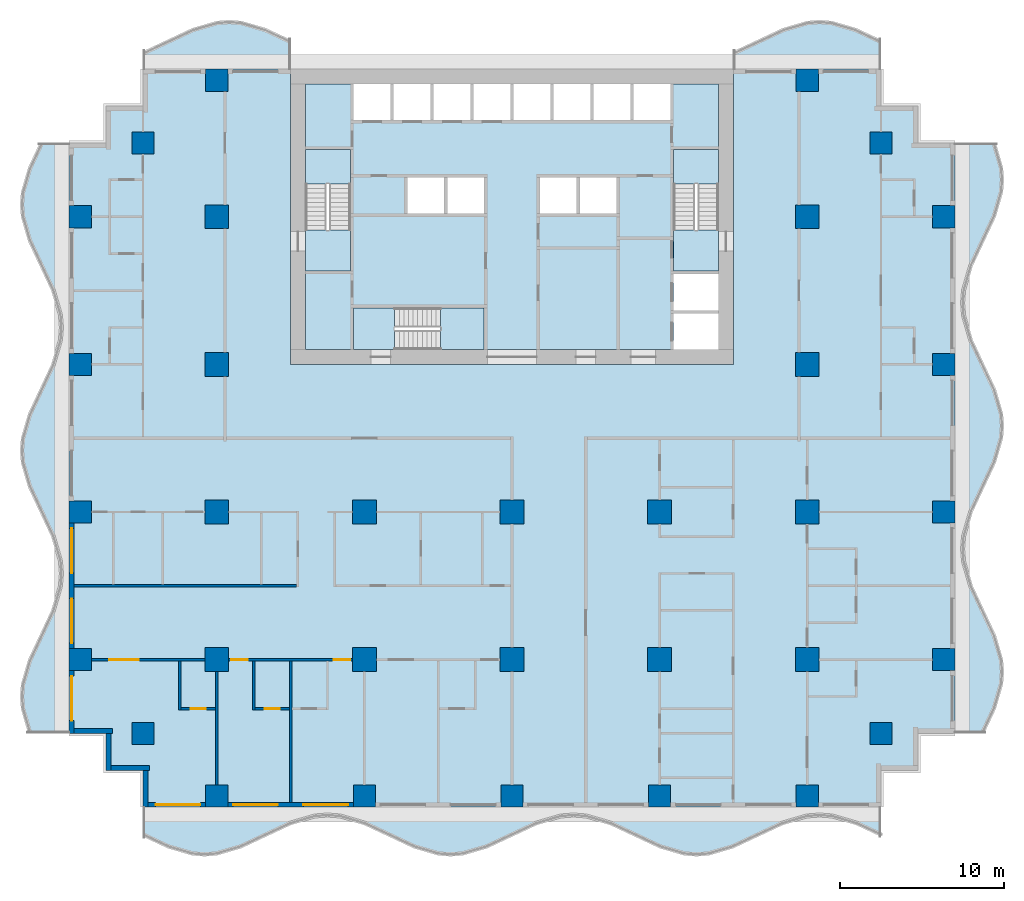
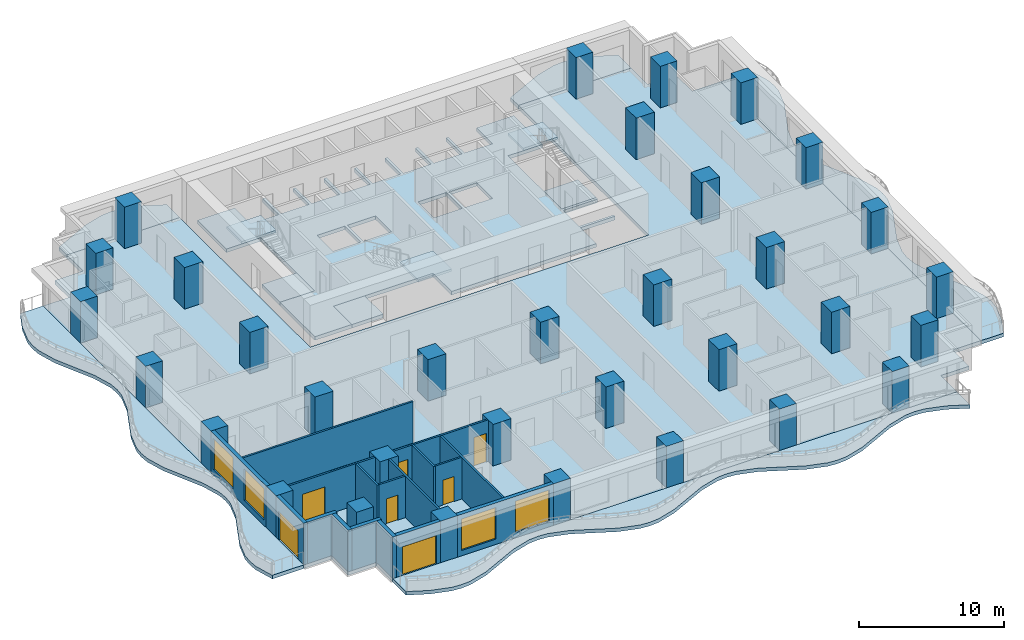
# One storey, part 1 of 13: 33 columns, 17 walls, 13 slabs, 7 doors, 4 windows, 11 openings, 3 elements without a shape of their own.
"""IFC4 building model written with IfcOpenShell, lengths in metres."""

from ifc_helpers import new_model, si_unit, direction, frame, frame_2d, origin, origin_2d, place, context, subcontext, project, spatial, polyline, rectangle, outline, extrude, material, layer, layer_set, material_profile, profile_set, type_object, element, fill, aggregate, save


model = new_model("IFC4")

# Units and contexts
model_context = context("Model", 3, precision=1e-05, world=origin(), true_north=direction((0.0, 1.0)))
body_context = subcontext(model_context, "Body", "Model", "MODEL_VIEW")
ifc_project = project(units=[si_unit("LENGTHUNIT", "METRE"), si_unit("AREAUNIT", "SQUARE_METRE"), si_unit("VOLUMEUNIT", "CUBIC_METRE"), si_unit("PLANEANGLEUNIT", "RADIAN"), si_unit("MASSUNIT", "GRAM", prefix="KILO")], contexts=[model_context])

# Site, building, storey
site_placement = place(None, origin())
site = spatial("IfcSite", under=ifc_project, at=site_placement, CompositionType="ELEMENT")
building_placement = place(site_placement, origin())
building = spatial("IfcBuilding", under=site, at=building_placement, Name="Orbiselva Terraces", CompositionType="ELEMENT")
storey_placement = place(building_placement, frame((0.0, 0.0, 77.0)))
storey = spatial("IfcBuildingStorey", under=building, at=storey_placement, Name="L19", CompositionType="ELEMENT", Elevation=77.0)

# Columns
ifc_material_1 = material(Name="Concrete C70/85", Category="concrete")
ifc_material_profile_1 = material_profile(ifc_material_1, rectangle(XDim=1.45, YDim=1.45, at=origin_2d()), Name="RC 1450x1450")
ifc_profile_set_1 = profile_set([ifc_material_profile_1], Name="Concrete C70/85")
column_type_1 = type_object("IfcColumnType", Name="COLUMN RC 1450x1450", PredefinedType="COLUMN", material=ifc_profile_set_1)
for number, where, z_axis, x_axis, name in (
    (1, (-18.0, -13.5, 0.0), (0.0, 0.0, 1.0), (1.0, 0.0, 0.0), "Column L19-01"),
    (2, (-18.0, -4.5, 0.0), (0.0, 0.0, 1.0), (1.0, 0.0, 0.0), "Column L19-03"),
    (3, (-18.0, 13.5, 0.0), (0.0, 0.0, 1.0), (1.0, 0.0, 0.0), "Column L19-04"),
    (4, (-18.0, 4.5, 0.0), (0.0, 0.0, 1.0), (1.0, 0.0, 0.0), "Column L19-06"),
    (5, (-9.0, -13.5, 0.0), (0.0, 0.0, 1.0), (1.0, 0.0, 0.0), "Column L19-13"),
    (6, (-9.0, -4.5, 0.0), (0.0, 0.0, 1.0), (1.0, 0.0, 0.0), "Column L19-15"),
    (7, (0.0, -13.5, 0.0), (0.0, 0.0, 1.0), (1.0, 0.0, 0.0), "Column L19-16"),
    (8, (0.0, -4.5, 0.0), (0.0, 0.0, 1.0), (1.0, 0.0, 0.0), "Column L19-18"),
    (9, (18.0, -13.5, 0.0), (0.0, 0.0, 1.0), (1.0, 0.0, 0.0), "Column L19-19"),
    (10, (18.0, -4.5, 0.0), (0.0, 0.0, 1.0), (1.0, 0.0, 0.0), "Column L19-21"),
    (11, (18.0, 13.5, 0.0), (0.0, 0.0, 1.0), (1.0, 0.0, 0.0), "Column L19-22"),
    (12, (18.0, 4.5, 0.0), (0.0, 0.0, 1.0), (1.0, 0.0, 0.0), "Column L19-24"),
    (13, (9.0, -13.5, 0.0), (0.0, 0.0, 1.0), (1.0, 0.0, 0.0), "Column L19-31"),
    (14, (9.0, -4.5, 0.0), (0.0, 0.0, 1.0), (1.0, 0.0, 0.0), "Column L19-33"),
):
    element("IfcColumn", number, at=place(storey_placement, frame(where, z_axis=z_axis, x_axis=x_axis)), inside=storey, type_object=column_type_1, Name=name, PredefinedType="COLUMN", context=body_context, shape_type="SweptSolid", body=[
        extrude(rectangle(XDim=1.45, YDim=1.45, at=origin_2d()), origin(), (0.0, 0.0, 1.0), 3.5),
    ])
ifc_material_profile_2 = material_profile(ifc_material_1, rectangle(XDim=1.35, YDim=1.35, at=origin_2d()), Name="RC 1350x1350")
ifc_profile_set_2 = profile_set([ifc_material_profile_2], Name="Concrete C70/85")
column_type_2 = type_object("IfcColumnType", Name="PERIMETER COLUMN RC 1350x1350", PredefinedType="COLUMN", material=ifc_profile_set_2)
for number, where, z_axis, x_axis, name in (
    (15, (-18.0, -21.825, 0.0), (0.0, 0.0, 1.0), (1.0, 0.0, 0.0), "Column L19-02"),
    (16, (-18.0, 21.825, 0.0), (0.0, 0.0, 1.0), (1.0, 0.0, 0.0), "Column L19-05"),
    (17, (-26.325, -13.5, 0.0), (0.0, 0.0, 1.0), (1.0, 0.0, 0.0), "Column L19-07"),
    (18, (-22.5, -18.0, 0.0), (0.0, 0.0, 1.0), (1.0, 0.0, 0.0), "Column L19-08"),
    (19, (-26.325, -4.5, 0.0), (0.0, 0.0, 1.0), (1.0, 0.0, 0.0), "Column L19-09"),
    (20, (-26.325, 13.5, 0.0), (0.0, 0.0, 1.0), (1.0, 0.0, 0.0), "Column L19-10"),
    (21, (-22.5, 18.0, 0.0), (0.0, 0.0, 1.0), (1.0, 0.0, 0.0), "Column L19-11"),
    (22, (-26.325, 4.5, 0.0), (0.0, 0.0, 1.0), (1.0, 0.0, 0.0), "Column L19-12"),
    (23, (-9.0, -21.825, 0.0), (0.0, 0.0, 1.0), (1.0, 0.0, 0.0), "Column L19-14"),
    (24, (0.0, -21.825, 0.0), (0.0, 0.0, 1.0), (1.0, 0.0, 0.0), "Column L19-17"),
    (25, (18.0, -21.825, 0.0), (0.0, 0.0, 1.0), (1.0, 0.0, 0.0), "Column L19-20"),
    (26, (18.0, 21.825, 0.0), (0.0, 0.0, 1.0), (1.0, 0.0, 0.0), "Column L19-23"),
    (27, (26.325, -13.5, 0.0), (0.0, 0.0, 1.0), (1.0, 0.0, 0.0), "Column L19-25"),
    (28, (22.5, -18.0, 0.0), (0.0, 0.0, 1.0), (1.0, 0.0, 0.0), "Column L19-26"),
    (29, (26.325, -4.5, 0.0), (0.0, 0.0, 1.0), (1.0, 0.0, 0.0), "Column L19-27"),
    (30, (26.325, 13.5, 0.0), (0.0, 0.0, 1.0), (1.0, 0.0, 0.0), "Column L19-28"),
    (31, (22.5, 18.0, 0.0), (0.0, 0.0, 1.0), (1.0, 0.0, 0.0), "Column L19-29"),
    (32, (26.325, 4.5, 0.0), (0.0, 0.0, 1.0), (1.0, 0.0, 0.0), "Column L19-30"),
    (33, (9.0, -21.825, 0.0), (0.0, 0.0, 1.0), (1.0, 0.0, 0.0), "Column L19-32"),
):
    element("IfcColumn", number, at=place(storey_placement, frame(where, z_axis=z_axis, x_axis=x_axis)), inside=storey, type_object=column_type_2, Name=name, PredefinedType="COLUMN", context=body_context, shape_type="SweptSolid", body=[
        extrude(rectangle(XDim=1.35, YDim=1.35, at=origin_2d()), origin(), (0.0, 0.0, 1.0), 3.5),
    ])

# Slabs
ifc_material_2 = material(Name="Concrete C40/50", Category="concrete")
ifc_layer_1 = layer(ifc_material_2, 0.3)
ifc_layer_set_1 = layer_set([ifc_layer_1], Name="Concrete C40/50")
slab_type_1 = type_object("IfcSlabType", Name="CORE-SLAB-FLOOR-300", PredefinedType="FLOOR", material=ifc_layer_set_1)
slab_1_placement = place(storey_placement, frame((0.0, 0.0, -0.3)))
element("IfcSlab", 34, at=slab_1_placement, inside=storey, type_object=slab_type_1, Name="L19 S1 floor landing", PredefinedType="FLOOR", context=body_context, shape_type="SweptSolid", body=[
    extrude(outline(polyline([(-12.6, 12.7), (-9.85, 12.7), (-9.85, 10.2), (-12.6, 10.2), (-12.6, 12.7)])), origin(), (0.0, 0.0, 1.0), 0.3),
])
slab_2_placement = place(storey_placement, frame((0.0, 0.0, -0.3)))
element("IfcSlab", 35, at=slab_2_placement, inside=storey, type_object=slab_type_1, Name="L19 S2 floor landing", PredefinedType="FLOOR", context=body_context, shape_type="SweptSolid", body=[
    extrude(outline(polyline([(12.6, 12.7), (12.6, 10.2), (9.85, 10.2), (9.85, 12.7), (12.6, 12.7)])), origin(), (0.0, 0.0, 1.0), 0.3),
])
slab_3_placement = place(storey_placement, frame((0.0, 0.0, -0.3)))
element("IfcSlab", 36, at=slab_3_placement, inside=storey, type_object=slab_type_1, Name="L19 S3 floor landing", PredefinedType="FLOOR", context=body_context, shape_type="SweptSolid", body=[
    extrude(outline(polyline([(-7.15, 5.4), (-9.65, 5.4), (-9.65, 7.95), (-7.15, 7.95), (-7.15, 5.4)])), origin(), (0.0, 0.0, 1.0), 0.3),
])
slab_4_placement = place(storey_placement, frame((0.0, 0.0, -0.3)))
element("IfcSlab", 37, at=slab_4_placement, inside=storey, type_object=slab_type_1, Name="L19 core floor slab 1", PredefinedType="FLOOR", context=body_context, shape_type="SweptSolid", body=[
    extrude(outline(polyline([(-1.7, 5.4), (-1.7, 7.95), (-9.65, 7.95), (-9.65, 5.4), (-12.6, 5.4), (-12.6, 10.2), (-9.85, 10.2), (-9.85, 17.6), (-12.6, 17.6), (-12.6, 21.6), (-9.65, 21.6), (-9.65, 19.4), (-7.4125, 19.4), (-7.4125, 21.6), (-7.2125, 21.6), (-7.2125, 19.4), (-4.975, 19.4), (-4.975, 21.6), (-4.775, 21.6), (-4.775, 19.4), (-2.5375, 19.4), (-2.5375, 21.6), (-2.3375, 21.6), (-2.3375, 19.4), (-0.1, 19.4), (-0.1, 21.6), (0.1, 21.6), (0.1, 19.4), (2.3375, 19.4), (2.3375, 21.6), (2.5375, 21.6), (2.5375, 19.4), (4.775, 19.4), (4.775, 21.6), (4.975, 21.6), (4.975, 19.4), (7.2125, 19.4), (7.2125, 21.6), (7.4125, 21.6), (7.4125, 19.4), (9.65, 19.4), (9.65, 21.6), (12.6, 21.6), (12.6, 17.6), (9.85, 17.6), (9.85, 10.2), (12.6, 10.2), (12.6, 10.0), (9.85, 10.0), (9.85, 7.8), (12.6, 7.8), (12.6, 7.6), (9.85, 7.6), (9.85, 5.4), (-1.7, 5.4)]), holes=[polyline([(-4.1375, 13.7), (-4.1375, 15.9), (-6.375, 15.9), (-6.375, 13.7), (-4.1375, 13.7)]), polyline([(-1.7, 13.7), (-1.7, 15.9), (-3.9375, 15.9), (-3.9375, 13.7), (-1.7, 13.7)]), polyline([(3.9375, 13.7), (3.9375, 15.9), (1.7, 15.9), (1.7, 13.7), (3.9375, 13.7)]), polyline([(6.375, 13.7), (6.375, 15.9), (4.1375, 15.9), (4.1375, 13.7), (6.375, 13.7)])]), origin(), (0.0, 0.0, 1.0), 0.3),
])

# Stair, slab
stair_type_1 = type_object("IfcStairType", Name="CORE-STAIR-1300", PredefinedType="HALF_TURN_STAIR", material=ifc_material_2)
stair_1_placement = place(storey_placement, origin())
stair_1 = element("IfcStair", 38, at=stair_1_placement, inside=storey, type_object=stair_type_1, Name="L19 Exit Stair S1", PredefinedType="HALF_TURN_STAIR")
ifc_layer_2 = layer(ifc_material_2, 0.2)
ifc_layer_set_2 = layer_set([ifc_layer_2], Name="Concrete C40/50")
slab_type_2 = type_object("IfcSlabType", Name="CORE-STAIR-LANDING-200", PredefinedType="LANDING", material=ifc_layer_set_2)
slab_5_placement = place(storey_placement, frame((0.0, 0.0, 1.7)))
slab_5 = element("IfcSlab", 39, at=slab_5_placement, type_object=slab_type_2, Name="S1 landing 1", PredefinedType="LANDING", context=body_context, shape_type="SweptSolid", body=[
    extrude(outline(polyline([(-9.85, 15.5), (-9.85, 17.6), (-12.6, 17.6), (-12.6, 15.5), (-9.85, 15.5)])), origin(), (0.0, 0.0, 1.0), 0.2),
])
aggregate(stair_1, [slab_5])

stair_2_placement = place(storey_placement, origin())
stair_2 = element("IfcStair", 40, at=stair_2_placement, inside=storey, type_object=stair_type_1, Name="L19 Exit Stair S2", PredefinedType="HALF_TURN_STAIR")
slab_6_placement = place(storey_placement, frame((0.0, 0.0, 1.7)))
slab_6 = element("IfcSlab", 41, at=slab_6_placement, type_object=slab_type_2, Name="S2 landing 1", PredefinedType="LANDING", context=body_context, shape_type="SweptSolid", body=[
    extrude(outline(polyline([(12.6, 15.5), (12.6, 17.6), (9.85, 17.6), (9.85, 15.5), (12.6, 15.5)])), origin(), (0.0, 0.0, 1.0), 0.2),
])
aggregate(stair_2, [slab_6])

stair_type_2 = type_object("IfcStairType", Name="CORE-STAIR-1200", PredefinedType="HALF_TURN_STAIR", material=ifc_material_2)
stair_3_placement = place(storey_placement, origin())
stair_3 = element("IfcStair", 42, at=stair_3_placement, inside=storey, type_object=stair_type_2, Name="L19 Exit Stair S3", PredefinedType="HALF_TURN_STAIR")
slab_7_placement = place(storey_placement, frame((0.0, 0.0, 1.7)))
slab_7 = element("IfcSlab", 43, at=slab_7_placement, type_object=slab_type_2, Name="S3 landing 1", PredefinedType="LANDING", context=body_context, shape_type="SweptSolid", body=[
    extrude(outline(polyline([(-4.35, 5.4), (-1.7, 5.4), (-1.7, 7.95), (-4.35, 7.95), (-4.35, 5.4)])), origin(), (0.0, 0.0, 1.0), 0.2),
])
aggregate(stair_3, [slab_7])

# Slabs
ifc_material_3 = material(Name="Concrete C50/60", Category="concrete")
ifc_layer_3 = layer(ifc_material_3, 0.3)
ifc_layer_set_3 = layer_set([ifc_layer_3], Name="Concrete C50/60")
slab_type_3 = type_object("IfcSlabType", Name="ENV-BALCONY-SLAB-300", PredefinedType="FLOOR", material=ifc_layer_set_3)
slab_8_placement = place(storey_placement, frame((0.0, 0.0, -0.3)))
element("IfcSlab", 44, at=slab_8_placement, inside=storey, type_object=slab_type_3, Name="Balcony slab L19 S", PredefinedType="FLOOR", context=body_context, shape_type="SweptSolid", body=[
    extrude(outline(polyline([(-22.5, -24.3), (-21.0, -25.005342), (-19.5, -25.441268), (-18.75, -25.5), (-18.0, -25.441268), (-16.5, -25.005342), (-13.5, -23.594658), (-12.0, -23.158732), (-11.25, -23.1), (-10.5, -23.158732), (-9.0, -23.594658), (-6.0, -25.005342), (-4.5, -25.441268), (-3.75, -25.5), (-3.0, -25.441268), (-1.5, -25.005342), (1.5, -23.594658), (3.0, -23.158732), (3.75, -23.1), (4.5, -23.158732), (6.0, -23.594658), (9.0, -25.005342), (10.5, -25.441268), (11.25, -25.5), (12.0, -25.441268), (13.5, -25.005342), (16.5, -23.594658), (18.0, -23.158732), (18.75, -23.1), (19.5, -23.158732), (21.0, -23.594658), (22.5, -24.3), (22.5, -22.5), (-22.5, -22.5), (-22.5, -24.3)])), origin(), (0.0, 0.0, 1.0), 0.3),
])
slab_9_placement = place(storey_placement, frame((0.0, 0.0, -0.3)))
element("IfcSlab", 45, at=slab_9_placement, inside=storey, type_object=slab_type_3, Name="Balcony slab L19 E", PredefinedType="FLOOR", context=body_context, shape_type="SweptSolid", body=[
    extrude(outline(polyline([(28.8, -18.0), (29.505342, -16.5), (29.941268, -15.0), (30.0, -14.25), (29.941268, -13.5), (29.505342, -12.0), (28.094658, -9.0), (27.658732, -7.5), (27.6, -6.75), (27.658732, -6.0), (28.094658, -4.5), (29.505342, -1.5), (29.941268, 0.0), (30.0, 0.75), (29.941268, 1.5), (29.505342, 3.0), (28.094658, 6.0), (27.658732, 7.5), (27.6, 8.25), (27.658732, 9.0), (28.094658, 10.5), (29.505342, 13.5), (29.941268, 15.0), (30.0, 15.75), (29.941268, 16.5), (29.505342, 18.0), (27.0, 18.0), (27.0, -18.0), (28.8, -18.0)])), origin(), (0.0, 0.0, 1.0), 0.3),
])
slab_10_placement = place(storey_placement, frame((0.0, 0.0, -0.3)))
element("IfcSlab", 46, at=slab_10_placement, inside=storey, type_object=slab_type_3, Name="Balcony slab L19 NE", PredefinedType="FLOOR", context=body_context, shape_type="SweptSolid", body=[
    extrude(outline(polyline([(22.5, 24.3), (21.0, 25.005342), (19.5, 25.441268), (18.75, 25.5), (18.0, 25.441268), (16.5, 25.005342), (13.5, 23.594658), (13.5, 22.5), (22.5, 22.5), (22.5, 24.3)])), origin(), (0.0, 0.0, 1.0), 0.3),
])
slab_11_placement = place(storey_placement, frame((0.0, 0.0, -0.3)))
element("IfcSlab", 47, at=slab_11_placement, inside=storey, type_object=slab_type_3, Name="Balcony slab L19 NW", PredefinedType="FLOOR", context=body_context, shape_type="SweptSolid", body=[
    extrude(outline(polyline([(-13.5, 24.3), (-15.0, 25.005342), (-16.5, 25.441268), (-17.25, 25.5), (-18.0, 25.441268), (-19.5, 25.005342), (-22.5, 23.594658), (-22.5, 22.5), (-13.5, 22.5), (-13.5, 24.3)])), origin(), (0.0, 0.0, 1.0), 0.3),
])
slab_12_placement = place(storey_placement, frame((0.0, 0.0, -0.3)))
element("IfcSlab", 48, at=slab_12_placement, inside=storey, type_object=slab_type_3, Name="Balcony slab L19 W", PredefinedType="FLOOR", context=body_context, shape_type="SweptSolid", body=[
    extrude(outline(polyline([(-28.8, 18.0), (-29.505342, 16.5), (-29.941268, 15.0), (-30.0, 14.25), (-29.941268, 13.5), (-29.505342, 12.0), (-28.094658, 9.0), (-27.658732, 7.5), (-27.6, 6.75), (-27.658732, 6.0), (-28.094658, 4.5), (-29.505342, 1.5), (-29.941268, 0.0), (-30.0, -0.75), (-29.941268, -1.5), (-29.505342, -3.0), (-28.094658, -6.0), (-27.658732, -7.5), (-27.6, -8.25), (-27.658732, -9.0), (-28.094658, -10.5), (-29.505342, -13.5), (-29.941268, -15.0), (-30.0, -15.75), (-29.941268, -16.5), (-29.505342, -18.0), (-27.0, -18.0), (-27.0, 18.0), (-28.8, 18.0)])), origin(), (0.0, 0.0, 1.0), 0.3),
])
ifc_layer_4 = layer(ifc_material_3, 0.3)
ifc_layer_set_4 = layer_set([ifc_layer_4], Name="Concrete C50/60")
slab_type_4 = type_object("IfcSlabType", Name="FLOOR SLAB 300", PredefinedType="FLOOR", material=ifc_layer_set_4)
slab_13_placement = place(storey_placement, frame((0.0, 0.0, -0.3)))
element("IfcSlab", 49, at=slab_13_placement, inside=storey, type_object=slab_type_4, Name="Floor slab L19", PredefinedType="FLOOR", context=body_context, shape_type="SweptSolid", body=[
    extrude(outline(polyline([(22.5, 22.5), (22.5, 20.25), (24.75, 20.25), (24.75, 18.0), (27.0, 18.0), (27.0, -18.0), (24.75, -18.0), (24.75, -20.25), (22.5, -20.25), (22.5, -22.5), (-22.5, -22.5), (-22.5, -20.25), (-24.75, -20.25), (-24.75, -18.0), (-27.0, -18.0), (-27.0, 18.0), (-24.75, 18.0), (-24.75, 20.25), (-22.5, 20.25), (-22.5, 22.5), (-13.5, 22.5), (-13.5, 4.5), (13.5, 4.5), (13.5, 22.5), (22.5, 22.5)])), origin(), (0.0, 0.0, 1.0), 0.3),
])

# Wall, opening, door
ifc_material_4 = material(Name="Terracotta cladding on masonry backing", Category="masonry")
ifc_layer_5 = layer(ifc_material_4, 0.3)
ifc_layer_set_5 = layer_set([ifc_layer_5], Name="Terracotta cladding on masonry backing")
wall_type_1 = type_object("IfcWallType", Name="ENV-WALL-TERRACOTTA-300", PredefinedType="SOLIDWALL", material=ifc_layer_set_5)
wall_1_placement = place(storey_placement, frame((-18.675, -22.35, 0.0), z_axis=(0.0, 0.0, 1.0), x_axis=(-1.0, 0.0, 0.0)))
wall_1 = element("IfcWall", 50, at=wall_1_placement, inside=storey, type_object=wall_type_1, Name="Facade wall L19 S", PredefinedType="SOLIDWALL", context=body_context, shape_type="SweptSolid", body=[
    extrude(rectangle(XDim=3.525, YDim=0.3, at=frame_2d((1.7625, 0.0))), origin(), (0.0, 0.0, 1.0), 3.5),
])
opening_1_placement = place(wall_1_placement, frame((0.325, 0.0, 0.0)))
opening_1 = element("IfcOpeningElement", 51, at=opening_1_placement, cuts=wall_1, Name="Opening Z2-A-E16", PredefinedType="OPENING", context=body_context, shape_type="SweptSolid", body=[
    extrude(rectangle(XDim=2.725, YDim=2.4, at=frame_2d((1.3625, 1.2))), frame((0.0, 0.16, 0.0), z_axis=(0.0, -1.0, 0.0), x_axis=(1.0, 0.0, 0.0)), (0.0, 0.0, 1.0), 0.32),
])
ifc_material_5 = material(Name="Clear low-e glazing in aluminium frame", Category="aluminium")
door_type_1 = type_object("IfcDoorType", Name="BALCONY DOOR 2725 X 2400", OperationType="DOUBLE_DOOR_SLIDING", PredefinedType="DOOR", material=ifc_material_5)
door_1_placement = place(opening_1_placement, origin())
door_1 = element("IfcDoor", 52, at=door_1_placement, inside=storey, type_object=door_type_1, Name="Z2-A-E16", OperationType="SINGLE_SWING_LEFT", OverallHeight=2.4, OverallWidth=2.725, PredefinedType="DOOR", context=body_context, shape_type="SweptSolid", body=[
    extrude(rectangle(XDim=2.725, YDim=2.4, at=frame_2d((1.3625, 1.2))), frame((0.0, 0.025, 0.0), z_axis=(0.0, -1.0, 0.0), x_axis=(1.0, 0.0, 0.0)), (0.0, 0.0, 1.0), 0.05),
])
fill(opening_1, door_1)

# Wall, openings, windows
wall_2_placement = place(storey_placement, frame((-9.675, -22.35, 0.0), z_axis=(0.0, 0.0, 1.0), x_axis=(-1.0, 0.0, 0.0)))
wall_2 = element("IfcWall", 53, at=wall_2_placement, inside=storey, type_object=wall_type_1, Name="Facade wall L19 S", PredefinedType="SOLIDWALL", context=body_context, shape_type="SweptSolid", body=[
    extrude(rectangle(XDim=7.65, YDim=0.3, at=frame_2d((3.825, 0.0))), origin(), (0.0, 0.0, 1.0), 3.5),
])
opening_2_placement = place(wall_2_placement, frame((4.6, 0.0, 0.45)))
opening_2 = element("IfcOpeningElement", 54, at=opening_2_placement, cuts=wall_2, Name="Opening WN5", PredefinedType="OPENING", context=body_context, shape_type="SweptSolid", body=[
    extrude(rectangle(XDim=2.725, YDim=2.65, at=frame_2d((1.3625, 1.325))), frame((0.0, 0.16, 0.0), z_axis=(0.0, -1.0, 0.0), x_axis=(1.0, 0.0, 0.0)), (0.0, 0.0, 1.0), 0.32),
])
opening_3_placement = place(wall_2_placement, frame((0.325, 0.0, 0.45)))
opening_3 = element("IfcOpeningElement", 55, at=opening_3_placement, cuts=wall_2, Name="Opening WN5", PredefinedType="OPENING", context=body_context, shape_type="SweptSolid", body=[
    extrude(rectangle(XDim=2.725, YDim=2.65, at=frame_2d((1.3625, 1.325))), frame((0.0, 0.16, 0.0), z_axis=(0.0, -1.0, 0.0), x_axis=(1.0, 0.0, 0.0)), (0.0, 0.0, 1.0), 0.32),
])
window_type = type_object("IfcWindowType", Name="WINDOW 2725 X 2650 S450", PartitioningType="TRIPLE_PANEL_VERTICAL", PredefinedType="WINDOW", material=ifc_material_5)
window_1_placement = place(opening_2_placement, origin())
window_1 = element("IfcWindow", 56, at=window_1_placement, inside=storey, type_object=window_type, Name="Window L19 S", OverallHeight=2.65, OverallWidth=2.725, PartitioningType="SINGLE_PANEL", PredefinedType="WINDOW", context=body_context, shape_type="SweptSolid", body=[
    extrude(rectangle(XDim=2.725, YDim=2.65, at=frame_2d((1.3625, 1.325))), frame((0.0, 0.03, 0.0), z_axis=(0.0, -1.0, 0.0), x_axis=(1.0, 0.0, 0.0)), (0.0, 0.0, 1.0), 0.06),
])
fill(opening_2, window_1)
window_2_placement = place(opening_3_placement, origin())
window_2 = element("IfcWindow", 57, at=window_2_placement, inside=storey, type_object=window_type, Name="Window L19 S", OverallHeight=2.65, OverallWidth=2.725, PartitioningType="SINGLE_PANEL", PredefinedType="WINDOW", context=body_context, shape_type="SweptSolid", body=[
    extrude(rectangle(XDim=2.725, YDim=2.65, at=frame_2d((1.3625, 1.325))), frame((0.0, 0.03, 0.0), z_axis=(0.0, -1.0, 0.0), x_axis=(1.0, 0.0, 0.0)), (0.0, 0.0, 1.0), 0.06),
])
fill(opening_3, window_2)

wall_3_placement = place(storey_placement, frame((-26.85, -12.825, 0.0), z_axis=(0.0, 0.0, 1.0), x_axis=(0.0, 1.0, 0.0)))
wall_3 = element("IfcWall", 58, at=wall_3_placement, inside=storey, type_object=wall_type_1, Name="Facade wall L19 W", PredefinedType="SOLIDWALL", context=body_context, shape_type="SweptSolid", body=[
    extrude(rectangle(XDim=7.65, YDim=0.3, at=frame_2d((3.825, 0.0))), origin(), (0.0, 0.0, 1.0), 3.5),
])
opening_4_placement = place(wall_3_placement, frame((4.6, 0.0, 0.45)))
opening_4 = element("IfcOpeningElement", 59, at=opening_4_placement, cuts=wall_3, Name="Opening WN5", PredefinedType="OPENING", context=body_context, shape_type="SweptSolid", body=[
    extrude(rectangle(XDim=2.725, YDim=2.65, at=frame_2d((1.3625, 1.325))), frame((0.0, 0.16, 0.0), z_axis=(0.0, -1.0, 0.0), x_axis=(1.0, 0.0, 0.0)), (0.0, 0.0, 1.0), 0.32),
])
opening_5_placement = place(wall_3_placement, frame((0.325, 0.0, 0.45)))
opening_5 = element("IfcOpeningElement", 60, at=opening_5_placement, cuts=wall_3, Name="Opening WN5", PredefinedType="OPENING", context=body_context, shape_type="SweptSolid", body=[
    extrude(rectangle(XDim=2.725, YDim=2.65, at=frame_2d((1.3625, 1.325))), frame((0.0, 0.16, 0.0), z_axis=(0.0, -1.0, 0.0), x_axis=(1.0, 0.0, 0.0)), (0.0, 0.0, 1.0), 0.32),
])
window_3_placement = place(opening_4_placement, origin())
window_3 = element("IfcWindow", 61, at=window_3_placement, inside=storey, type_object=window_type, Name="Window L19 W", OverallHeight=2.65, OverallWidth=2.725, PartitioningType="SINGLE_PANEL", PredefinedType="WINDOW", context=body_context, shape_type="SweptSolid", body=[
    extrude(rectangle(XDim=2.725, YDim=2.65, at=frame_2d((1.3625, 1.325))), frame((0.0, 0.03, 0.0), z_axis=(0.0, -1.0, 0.0), x_axis=(1.0, 0.0, 0.0)), (0.0, 0.0, 1.0), 0.06),
])
fill(opening_4, window_3)
window_4_placement = place(opening_5_placement, origin())
window_4 = element("IfcWindow", 62, at=window_4_placement, inside=storey, type_object=window_type, Name="Window L19 W", OverallHeight=2.65, OverallWidth=2.725, PartitioningType="SINGLE_PANEL", PredefinedType="WINDOW", context=body_context, shape_type="SweptSolid", body=[
    extrude(rectangle(XDim=2.725, YDim=2.65, at=frame_2d((1.3625, 1.325))), frame((0.0, 0.03, 0.0), z_axis=(0.0, -1.0, 0.0), x_axis=(1.0, 0.0, 0.0)), (0.0, 0.0, 1.0), 0.06),
])
fill(opening_5, window_4)

# Wall, opening, door
wall_4_placement = place(storey_placement, frame((-26.85, -18.0, 0.0), z_axis=(0.0, 0.0, 1.0), x_axis=(0.0, 1.0, 0.0)))
wall_4 = element("IfcWall", 63, at=wall_4_placement, inside=storey, type_object=wall_type_1, Name="Facade wall L19 W", PredefinedType="SOLIDWALL", context=body_context, shape_type="SweptSolid", body=[
    extrude(rectangle(XDim=3.825, YDim=0.3, at=frame_2d((1.9125, 0.0))), origin(), (0.0, 0.0, 1.0), 3.5),
])
opening_6_placement = place(wall_4_placement, frame((0.775, 0.0, 0.0)))
opening_6 = element("IfcOpeningElement", 64, at=opening_6_placement, cuts=wall_4, Name="Opening Z2-A-E15", PredefinedType="OPENING", context=body_context, shape_type="SweptSolid", body=[
    extrude(rectangle(XDim=2.725, YDim=2.4, at=frame_2d((1.3625, 1.2))), frame((0.0, 0.16, 0.0), z_axis=(0.0, -1.0, 0.0), x_axis=(1.0, 0.0, 0.0)), (0.0, 0.0, 1.0), 0.32),
])
door_2_placement = place(opening_6_placement, origin())
door_2 = element("IfcDoor", 65, at=door_2_placement, inside=storey, type_object=door_type_1, Name="Z2-A-E15", OperationType="SINGLE_SWING_LEFT", OverallHeight=2.4, OverallWidth=2.725, PredefinedType="DOOR", context=body_context, shape_type="SweptSolid", body=[
    extrude(rectangle(XDim=2.725, YDim=2.4, at=frame_2d((1.3625, 1.2))), frame((0.0, 0.025, 0.0), z_axis=(0.0, -1.0, 0.0), x_axis=(1.0, 0.0, 0.0)), (0.0, 0.0, 1.0), 0.05),
])
fill(opening_6, door_2)

# Walls
wall_5_placement = place(storey_placement, frame((-24.35, -17.85, 0.0), z_axis=(0.0, 0.0, 1.0), x_axis=(-1.0, 0.0, 0.0)))
element("IfcWall", 66, at=wall_5_placement, inside=storey, type_object=wall_type_1, Name="Facade wall L19 STEP", PredefinedType="SOLIDWALL", context=body_context, shape_type="SweptSolid", body=[
    extrude(rectangle(XDim=2.35, YDim=0.3, at=frame_2d((1.175, 0.0))), origin(), (0.0, 0.0, 1.0), 3.5),
])
wall_6_placement = place(storey_placement, frame((-24.6, -20.25, 0.0), z_axis=(0.0, 0.0, 1.0), x_axis=(0.0, 1.0, 0.0)))
element("IfcWall", 67, at=wall_6_placement, inside=storey, type_object=wall_type_1, Name="Facade wall L19 STEP", PredefinedType="SOLIDWALL", context=body_context, shape_type="SweptSolid", body=[
    extrude(rectangle(XDim=2.25, YDim=0.3, at=frame_2d((1.125, 0.0))), origin(), (0.0, 0.0, 1.0), 3.5),
])
wall_7_placement = place(storey_placement, frame((-22.1, -20.1, 0.0), z_axis=(0.0, 0.0, 1.0), x_axis=(-1.0, 0.0, 0.0)))
element("IfcWall", 68, at=wall_7_placement, inside=storey, type_object=wall_type_1, Name="Facade wall L19 STEP", PredefinedType="SOLIDWALL", context=body_context, shape_type="SweptSolid", body=[
    extrude(rectangle(XDim=2.35, YDim=0.3, at=frame_2d((1.175, 0.0))), origin(), (0.0, 0.0, 1.0), 3.5),
])
wall_8_placement = place(storey_placement, frame((-22.35, -22.5, 0.0), z_axis=(0.0, 0.0, 1.0), x_axis=(0.0, 1.0, 0.0)))
element("IfcWall", 69, at=wall_8_placement, inside=storey, type_object=wall_type_1, Name="Facade wall L19 STEP", PredefinedType="SOLIDWALL", context=body_context, shape_type="SweptSolid", body=[
    extrude(rectangle(XDim=2.25, YDim=0.3, at=frame_2d((1.125, 0.0))), origin(), (0.0, 0.0, 1.0), 3.5),
])

# Wall, opening, door
ifc_material_6 = material(Name="Plasterboard on steel stud partition", Category="steel")
ifc_layer_6 = layer(ifc_material_6, 0.15)
ifc_layer_set_6 = layer_set([ifc_layer_6], Name="Plasterboard on steel stud partition")
wall_type_2 = type_object("IfcWallType", Name="UNIT-PARTITION-150", PredefinedType="PARTITIONING", material=ifc_layer_set_6)
wall_9_placement = place(storey_placement, frame((-20.175, -16.5, 0.0), z_axis=(0.0, 0.0, 1.0), x_axis=(1.0, 0.0, 0.0)))
wall_9 = element("IfcWall", 70, at=wall_9_placement, inside=storey, type_object=wall_type_2, Name="PARTITION L19-003", PredefinedType="PARTITIONING", context=body_context, shape_type="SweptSolid", body=[
    extrude(rectangle(XDim=2.1, YDim=0.15, at=frame_2d((1.05, 0.0))), origin(), (0.0, 0.0, 1.0), 3.5),
])
opening_7_placement = place(wall_9_placement, frame((0.6, 0.0, 0.0)))
opening_7 = element("IfcOpeningElement", 71, at=opening_7_placement, cuts=wall_9, Name="Opening Z2-A-24", PredefinedType="OPENING", context=body_context, shape_type="SweptSolid", body=[
    extrude(rectangle(XDim=0.9, YDim=2.1, at=frame_2d((0.45, 1.05))), frame((0.0, 0.085, 0.0), z_axis=(0.0, -1.0, 0.0), x_axis=(1.0, 0.0, 0.0)), (0.0, 0.0, 1.0), 0.17),
])
ifc_material_7 = material(Name="Painted timber door leaf", Category="wood")
door_type_2 = type_object("IfcDoorType", Name="BATH DOOR 900", OperationType="NOTDEFINED", PredefinedType="DOOR", material=ifc_material_7)
door_3_placement = place(opening_7_placement, origin())
door_3 = element("IfcDoor", 72, at=door_3_placement, inside=storey, type_object=door_type_2, Name="Z2-A-24", OperationType="SINGLE_SWING_LEFT", OverallHeight=2.1, OverallWidth=0.9, PredefinedType="DOOR", context=body_context, shape_type="SweptSolid", body=[
    extrude(rectangle(XDim=0.9, YDim=2.1, at=frame_2d((0.45, 1.05))), frame((0.0, 0.025, 0.0), z_axis=(0.0, -1.0, 0.0), x_axis=(1.0, 0.0, 0.0)), (0.0, 0.0, 1.0), 0.05),
])
fill(opening_7, door_3)

wall_10_placement = place(storey_placement, frame((-15.675, -16.5, 0.0), z_axis=(0.0, 0.0, 1.0), x_axis=(1.0, 0.0, 0.0)))
wall_10 = element("IfcWall", 73, at=wall_10_placement, inside=storey, type_object=wall_type_2, Name="PARTITION L19-004", PredefinedType="PARTITIONING", context=body_context, shape_type="SweptSolid", body=[
    extrude(rectangle(XDim=2.1, YDim=0.15, at=frame_2d((1.05, 0.0))), origin(), (0.0, 0.0, 1.0), 3.5),
])
opening_8_placement = place(wall_10_placement, frame((0.6, 0.0, 0.0)))
opening_8 = element("IfcOpeningElement", 74, at=opening_8_placement, cuts=wall_10, Name="Opening Z2-A-26", PredefinedType="OPENING", context=body_context, shape_type="SweptSolid", body=[
    extrude(rectangle(XDim=0.9, YDim=2.1, at=frame_2d((0.45, 1.05))), frame((0.0, 0.085, 0.0), z_axis=(0.0, -1.0, 0.0), x_axis=(1.0, 0.0, 0.0)), (0.0, 0.0, 1.0), 0.17),
])
door_4_placement = place(opening_8_placement, origin())
door_4 = element("IfcDoor", 75, at=door_4_placement, inside=storey, type_object=door_type_2, Name="Z2-A-26", OperationType="SINGLE_SWING_LEFT", OverallHeight=2.1, OverallWidth=0.9, PredefinedType="DOOR", context=body_context, shape_type="SweptSolid", body=[
    extrude(rectangle(XDim=0.9, YDim=2.1, at=frame_2d((0.45, 1.05))), frame((0.0, 0.025, 0.0), z_axis=(0.0, -1.0, 0.0), x_axis=(1.0, 0.0, 0.0)), (0.0, 0.0, 1.0), 0.05),
])
fill(opening_8, door_4)

wall_11_placement = place(storey_placement, frame((-18.725, -13.5, 0.0), z_axis=(0.0, 0.0, 1.0), x_axis=(-1.0, 0.0, 0.0)))
wall_11 = element("IfcWall", 76, at=wall_11_placement, inside=storey, type_object=wall_type_2, Name="PARTITION L19-009", PredefinedType="PARTITIONING", context=body_context, shape_type="SweptSolid", body=[
    extrude(rectangle(XDim=6.925, YDim=0.15, at=frame_2d((3.4625, 0.0))), origin(), (0.0, 0.0, 1.0), 3.5),
])
opening_9_placement = place(wall_11_placement, frame((4.025, 0.0, 0.0)))
opening_9 = element("IfcOpeningElement", 77, at=opening_9_placement, cuts=wall_11, Name="Opening Z2-A-23", PredefinedType="OPENING", context=body_context, shape_type="SweptSolid", body=[
    extrude(rectangle(XDim=1.8, YDim=2.4, at=frame_2d((0.9, 1.2))), frame((0.0, 0.085, 0.0), z_axis=(0.0, -1.0, 0.0), x_axis=(1.0, 0.0, 0.0)), (0.0, 0.0, 1.0), 0.17),
])
door_type_3 = type_object("IfcDoorType", Name="DOUBLE DOOR 1800", OperationType="NOTDEFINED", PredefinedType="DOOR", material=ifc_material_7)
door_5_placement = place(opening_9_placement, origin())
door_5 = element("IfcDoor", 78, at=door_5_placement, inside=storey, type_object=door_type_3, Name="Z2-A-23", OperationType="DOUBLE_DOOR_SINGLE_SWING", OverallHeight=2.4, OverallWidth=1.8, PredefinedType="DOOR", context=body_context, shape_type="SweptSolid", body=[
    extrude(rectangle(XDim=1.8, YDim=2.4, at=frame_2d((0.9, 1.2))), frame((0.0, 0.025, 0.0), z_axis=(0.0, -1.0, 0.0), x_axis=(1.0, 0.0, 0.0)), (0.0, 0.0, 1.0), 0.05),
])
fill(opening_9, door_5)

# Wall, openings, doors
wall_12_placement = place(storey_placement, frame((-9.725, -13.5, 0.0), z_axis=(0.0, 0.0, 1.0), x_axis=(-1.0, 0.0, 0.0)))
wall_12 = element("IfcWall", 79, at=wall_12_placement, inside=storey, type_object=wall_type_2, Name="PARTITION L19-010", PredefinedType="PARTITIONING", context=body_context, shape_type="SweptSolid", body=[
    extrude(rectangle(XDim=7.55, YDim=0.15, at=frame_2d((3.775, 0.0))), origin(), (0.0, 0.0, 1.0), 3.5),
])
opening_10_placement = place(wall_12_placement, frame((6.4, 0.0, 0.0)))
opening_10 = element("IfcOpeningElement", 80, at=opening_10_placement, cuts=wall_12, Name="Opening Z2-A-25", PredefinedType="OPENING", context=body_context, shape_type="SweptSolid", body=[
    extrude(rectangle(XDim=1.0, YDim=2.4, at=frame_2d((0.5, 1.2))), frame((0.0, 0.085, 0.0), z_axis=(0.0, -1.0, 0.0), x_axis=(1.0, 0.0, 0.0)), (0.0, 0.0, 1.0), 0.17),
])
opening_11_placement = place(wall_12_placement, frame((0.15, 0.0, 0.0)))
opening_11 = element("IfcOpeningElement", 81, at=opening_11_placement, cuts=wall_12, Name="Opening Z2-A-27", PredefinedType="OPENING", context=body_context, shape_type="SweptSolid", body=[
    extrude(rectangle(XDim=1.0, YDim=2.4, at=frame_2d((0.5, 1.2))), frame((0.0, 0.085, 0.0), z_axis=(0.0, -1.0, 0.0), x_axis=(1.0, 0.0, 0.0)), (0.0, 0.0, 1.0), 0.17),
])
door_type_4 = type_object("IfcDoorType", Name="ROOM DOOR 1000", OperationType="NOTDEFINED", PredefinedType="DOOR", material=ifc_material_7)
door_6_placement = place(opening_10_placement, origin())
door_6 = element("IfcDoor", 82, at=door_6_placement, inside=storey, type_object=door_type_4, Name="Z2-A-25", OperationType="SINGLE_SWING_RIGHT", OverallHeight=2.4, OverallWidth=1.0, PredefinedType="DOOR", context=body_context, shape_type="SweptSolid", body=[
    extrude(rectangle(XDim=1.0, YDim=2.4, at=frame_2d((0.5, 1.2))), frame((0.0, 0.025, 0.0), z_axis=(0.0, -1.0, 0.0), x_axis=(1.0, 0.0, 0.0)), (0.0, 0.0, 1.0), 0.05),
])
fill(opening_10, door_6)
door_7_placement = place(opening_11_placement, origin())
door_7 = element("IfcDoor", 83, at=door_7_placement, inside=storey, type_object=door_type_4, Name="Z2-A-27", OperationType="SINGLE_SWING_LEFT", OverallHeight=2.4, OverallWidth=1.0, PredefinedType="DOOR", context=body_context, shape_type="SweptSolid", body=[
    extrude(rectangle(XDim=1.0, YDim=2.4, at=frame_2d((0.5, 1.2))), frame((0.0, 0.025, 0.0), z_axis=(0.0, -1.0, 0.0), x_axis=(1.0, 0.0, 0.0)), (0.0, 0.0, 1.0), 0.05),
])
fill(opening_11, door_7)

# Walls
wall_13_placement = place(storey_placement, frame((-26.7, -9.0, 0.0), z_axis=(0.0, 0.0, 1.0), x_axis=(1.0, 0.0, 0.0)))
element("IfcWall", 84, at=wall_13_placement, inside=storey, type_object=wall_type_2, Name="PARTITION L19-015", PredefinedType="PARTITIONING", context=body_context, shape_type="SweptSolid", body=[
    extrude(rectangle(XDim=13.575, YDim=0.15, at=frame_2d((6.7875, 0.0))), origin(), (0.0, 0.0, 1.0), 3.5),
])
wall_14_placement = place(storey_placement, frame((-20.25, -16.575, 0.0), z_axis=(0.0, 0.0, 1.0), x_axis=(0.0, 1.0, 0.0)))
element("IfcWall", 85, at=wall_14_placement, inside=storey, type_object=wall_type_2, Name="PARTITION L19-049", PredefinedType="PARTITIONING", context=body_context, shape_type="SweptSolid", body=[
    extrude(rectangle(XDim=3.0, YDim=0.15, at=frame_2d((1.5, 0.0))), origin(), (0.0, 0.0, 1.0), 3.5),
])
wall_15_placement = place(storey_placement, frame((-18.0, -21.15, 0.0), z_axis=(0.0, 0.0, 1.0), x_axis=(0.0, 1.0, 0.0)))
element("IfcWall", 86, at=wall_15_placement, inside=storey, type_object=wall_type_2, Name="PARTITION L19-050", PredefinedType="PARTITIONING", context=body_context, shape_type="SweptSolid", body=[
    extrude(rectangle(XDim=6.925, YDim=0.15, at=frame_2d((3.4625, 0.0))), origin(), (0.0, 0.0, 1.0), 3.5),
])
wall_16_placement = place(storey_placement, frame((-15.75, -16.575, 0.0), z_axis=(0.0, 0.0, 1.0), x_axis=(0.0, 1.0, 0.0)))
element("IfcWall", 87, at=wall_16_placement, inside=storey, type_object=wall_type_2, Name="PARTITION L19-054", PredefinedType="PARTITIONING", context=body_context, shape_type="SweptSolid", body=[
    extrude(rectangle(XDim=3.0, YDim=0.15, at=frame_2d((1.5, 0.0))), origin(), (0.0, 0.0, 1.0), 3.5),
])
wall_17_placement = place(storey_placement, frame((-13.5, -22.2, 0.0), z_axis=(0.0, 0.0, 1.0), x_axis=(0.0, 1.0, 0.0)))
element("IfcWall", 88, at=wall_17_placement, inside=storey, type_object=wall_type_2, Name="PARTITION L19-056", PredefinedType="PARTITIONING", context=body_context, shape_type="SweptSolid", body=[
    extrude(rectangle(XDim=8.625, YDim=0.15, at=frame_2d((4.3125, 0.0))), origin(), (0.0, 0.0, 1.0), 3.5),
])

save(model, "model.ifc")
